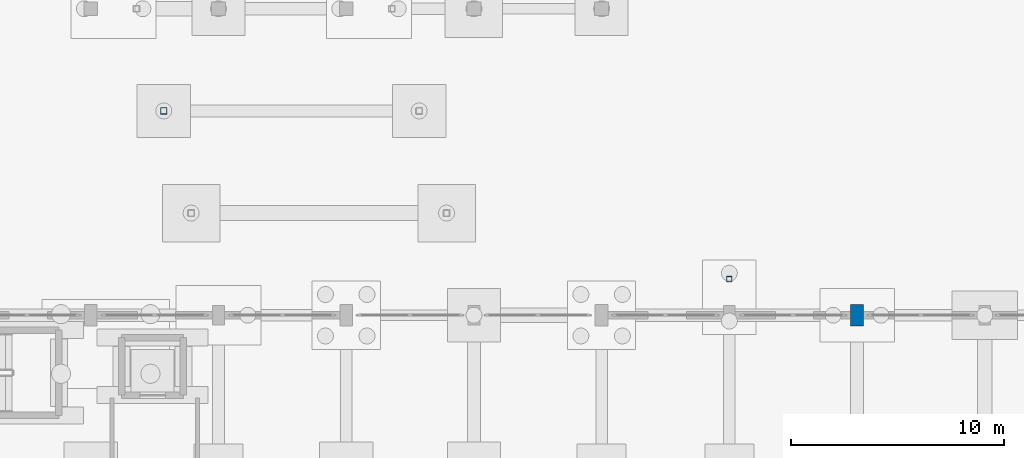
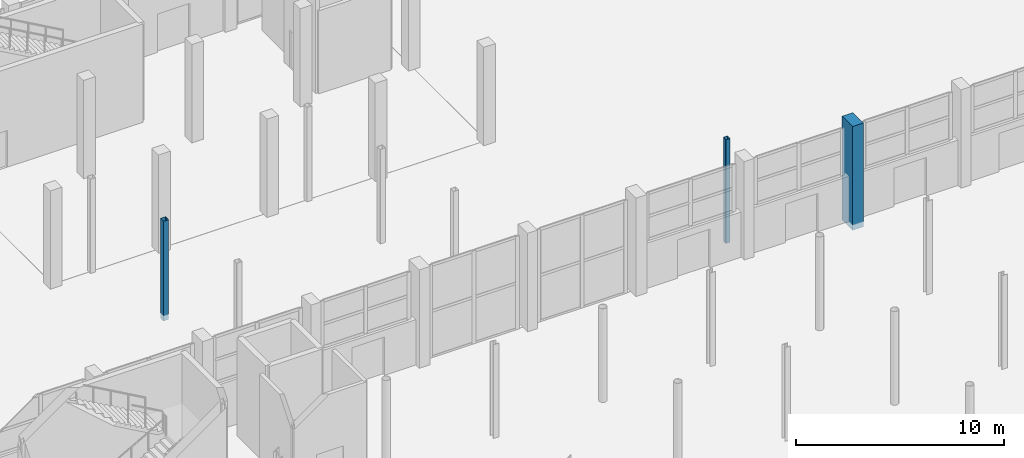
# One storey, part 26 of 103: 3 columns.
"""IFC4 building model written with IfcOpenShell, lengths in metres."""

from ifc_helpers import new_model, si_unit, direction, frame, origin, origin_2d, place, context, subcontext, project, spatial, rectangle, hollow_rectangle, extrude, material, material_profile, profile_set, type_object, element, save


model = new_model("IFC4")

# Units and contexts
model_context = context("Model", 3, precision=1e-05, world=origin(), true_north=direction((0.0, 1.0)))
body_context = subcontext(model_context, "Body", "Model", "MODEL_VIEW")
ifc_project = project(units=[si_unit("LENGTHUNIT", "METRE"), si_unit("AREAUNIT", "SQUARE_METRE"), si_unit("VOLUMEUNIT", "CUBIC_METRE"), si_unit("PLANEANGLEUNIT", "RADIAN"), si_unit("MASSUNIT", "GRAM", prefix="KILO")], contexts=[model_context])

# Site, building, storey
site_placement = place(None, origin())
site = spatial("IfcSite", under=ifc_project, at=site_placement, CompositionType="ELEMENT")
building_placement = place(site_placement, origin())
building = spatial("IfcBuilding", under=site, at=building_placement, Name="Dunvalen Ferry Terminal", CompositionType="ELEMENT")
storey_placement = place(building_placement, origin())
storey = spatial("IfcBuildingStorey", under=building, at=storey_placement, Name="L00", CompositionType="ELEMENT", Elevation=0.0)

# Columns
ifc_material_1 = material(Name="Concrete C40/50", Category="concrete")
ifc_material_profile_1 = material_profile(ifc_material_1, rectangle(XDim=0.60009765625, YDim=1.0, at=origin_2d()), Name="Concrete C40/50")
ifc_profile_set_1 = profile_set([ifc_material_profile_1], Name="Concrete C40/50")
column_type_1 = type_object("IfcColumnType", Name="STR-COL-PIER1000", PredefinedType="COLUMN", material=ifc_profile_set_1)
column_1_placement = place(storey_placement, frame((60.0, 86.39990234375, -0.320068359375), z_axis=(0.0, 0.0, 1.0), x_axis=(1.0, 0.0, 0.0)))
element("IfcColumn", 1, at=column_1_placement, inside=storey, type_object=column_type_1, Name="L00 Departure Hall Perimeter Pier 24", PredefinedType="COLUMN", context=body_context, shape_type="SweptSolid", body=[
    extrude(rectangle(XDim=0.60009765625, YDim=1.0, at=origin_2d()), origin(), (0.0, 0.0, 1.0), 6.080078125),
])
ifc_material_2 = material(Name="Steel S355", Category="steel")
ifc_material_profile_2 = material_profile(ifc_material_2, hollow_rectangle(XDim=0.25, YDim=0.25, WallThickness=0.010009765625, InnerFilletRadius=0.010009765625, OuterFilletRadius=0.02001953125, at=origin_2d()), Name="Steel S355")
ifc_profile_set_2 = profile_set([ifc_material_profile_2], Name="Steel S355")
column_type_2 = type_object("IfcColumnType", Name="STR-COL-SHS250", PredefinedType="COLUMN", material=ifc_profile_set_2)
column_2_placement = place(storey_placement, frame((54.0, 88.10009765625, -0.320068359375), z_axis=(0.0, 0.0, 1.0), x_axis=(1.0, 0.0, 0.0)))
element("IfcColumn", 2, at=column_2_placement, inside=storey, type_object=column_type_2, Name="L00 Eave Colonnade Post 2", PredefinedType="COLUMN", context=body_context, shape_type="SweptSolid", body=[
    extrude(hollow_rectangle(XDim=0.25, YDim=0.25, WallThickness=0.010009765625, InnerFilletRadius=0.010009765625, OuterFilletRadius=0.02001953125, at=origin_2d()), origin(), (0.0, 0.0, 1.0), 6.080078125),
])
ifc_material_profile_3 = material_profile(ifc_material_2, hollow_rectangle(XDim=0.300048828125, YDim=0.300048828125, WallThickness=0.012451171875, InnerFilletRadius=0.012451171875, OuterFilletRadius=0.02490234375, at=origin_2d()), Name="Steel S355")
ifc_profile_set_3 = profile_set([ifc_material_profile_3], Name="Steel S355")
column_type_3 = type_object("IfcColumnType", Name="STR-COL-SHS300", PredefinedType="COLUMN", material=ifc_profile_set_3)
column_3_placement = place(storey_placement, frame((27.427734375, 96.0, -0.320068359375), z_axis=(0.0, 0.0, 1.0), x_axis=(1.0, 0.0, 0.0)))
element("IfcColumn", 3, at=column_3_placement, inside=storey, type_object=column_type_3, Name="L00 Boarding Bridge 1 Marine Pier 1.4", PredefinedType="COLUMN", context=body_context, shape_type="SweptSolid", body=[
    extrude(hollow_rectangle(XDim=0.300048828125, YDim=0.300048828125, WallThickness=0.012451171875, InnerFilletRadius=0.012451171875, OuterFilletRadius=0.02490234375, at=origin_2d()), origin(), (0.0, 0.0, 1.0), 5.840087890625),
])

save(model, "model.ifc")
